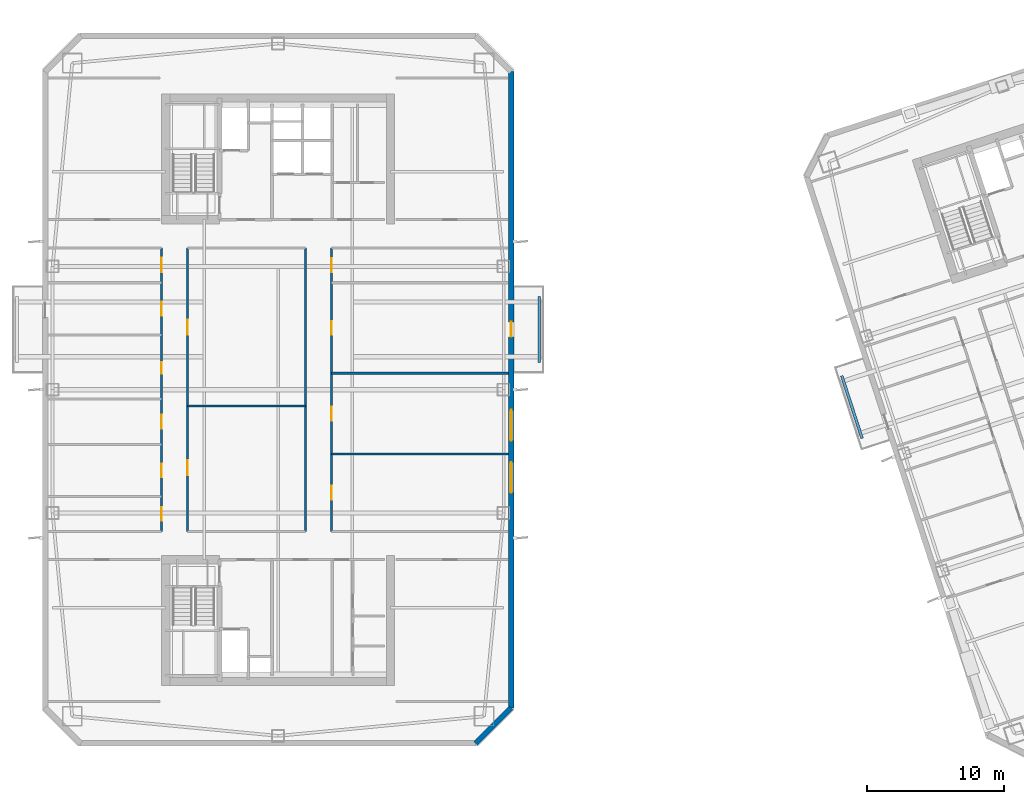
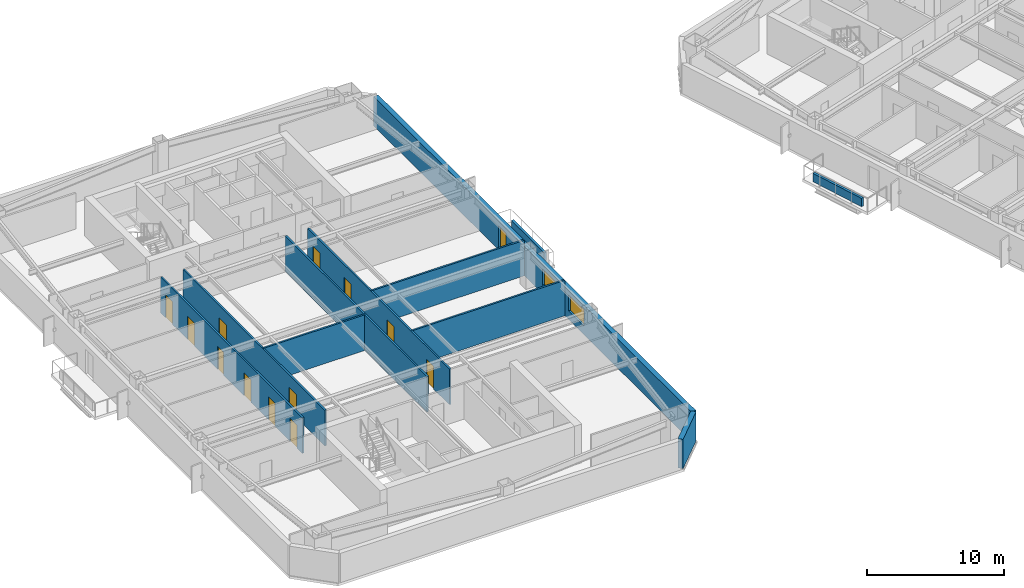
# One storey, part 7 of 18: 13 doors, 11 walls, 2 windows, 15 openings.
"""IFC4 building model written with IfcOpenShell, lengths in metres."""

from ifc_helpers import new_model, si_unit, direction, frame, frame_2d, origin, place, context, subcontext, project, spatial, rectangle, extrude, material, layer, layer_set, type_object, element, fill, save


model = new_model("IFC4")

# Units and contexts
model_context = context("Model", 3, precision=1e-05, world=origin(), true_north=direction((0.0, 1.0)))
body_context = subcontext(model_context, "Body", "Model", "MODEL_VIEW")
ifc_project = project(units=[si_unit("LENGTHUNIT", "METRE"), si_unit("AREAUNIT", "SQUARE_METRE"), si_unit("VOLUMEUNIT", "CUBIC_METRE"), si_unit("PLANEANGLEUNIT", "RADIAN"), si_unit("MASSUNIT", "GRAM", prefix="KILO")], contexts=[model_context])

# Site, building, storey
site_placement = place(None, origin())
site = spatial("IfcSite", under=ifc_project, at=site_placement, CompositionType="ELEMENT")
building_placement = place(site_placement, origin())
building = spatial("IfcBuilding", under=site, at=building_placement, Name="Qiaolan Cultural Towers", CompositionType="ELEMENT")
storey_placement = place(building_placement, frame((0.0, 0.0, 163.300048828125)))
storey = spatial("IfcBuildingStorey", under=building, at=storey_placement, Name="L43", CompositionType="ELEMENT", Elevation=163.300048828125)

# Wall, openings, door, windows
ifc_material_1 = material(Name="Precast Concrete C50 Honed Stone Pier", Category="masonry")
ifc_layer_1 = layer(ifc_material_1, 0.39990234375)
ifc_layer_set_1 = layer_set([ifc_layer_1], Name="Precast Concrete C50 Honed Stone Pier")
wall_type_1 = type_object("IfcWallType", Name="WL-EXT-PIER-400", PredefinedType="SOLIDWALL", material=ifc_layer_set_1)
wall_1_placement = place(storey_placement, frame((47.0, 57.199951171875, 0.0), z_axis=(0.0, 0.0, 1.0), x_axis=(0.0, -1.0, 0.0)))
wall_1 = element("IfcWall", 1, at=wall_1_placement, inside=storey, type_object=wall_type_1, Name="L43 West Tower Precast Pier Facade Wall F5", PredefinedType="SOLIDWALL", context=body_context, shape_type="SweptSolid", body=[
    extrude(rectangle(XDim=46.39990234375, YDim=0.39990234375, at=frame_2d((23.199951171875, 0.0))), origin(), (0.0, 0.0, 1.0), 2.60986328125),
])
opening_1_placement = place(wall_1_placement, frame((28.47509765625, 0.0, 0.75)))
opening_1 = element("IfcOpeningElement", 2, at=opening_1_placement, cuts=wall_1, Name="Opening W-03", PredefinedType="OPENING", context=body_context, shape_type="SweptSolid", body=[
    extrude(rectangle(XDim=2.25, YDim=1.4599609375, at=frame_2d((1.125, 0.72998046875))), frame((0.0, 0.2099609375, 0.0), z_axis=(0.0, -1.0, 0.0), x_axis=(1.0, 0.0, 0.0)), (0.0, 0.0, 1.0), 0.419921875),
])
opening_2_placement = place(wall_1_placement, frame((24.675048828125, 0.0, 0.75)))
opening_2 = element("IfcOpeningElement", 3, at=opening_2_placement, cuts=wall_1, Name="Opening W-03", PredefinedType="OPENING", context=body_context, shape_type="SweptSolid", body=[
    extrude(rectangle(XDim=2.25, YDim=1.4599609375, at=frame_2d((1.125, 0.72998046875))), frame((0.0, 0.2099609375, 0.0), z_axis=(0.0, -1.0, 0.0), x_axis=(1.0, 0.0, 0.0)), (0.0, 0.0, 1.0), 0.419921875),
])
opening_3_placement = place(wall_1_placement, frame((18.25, 0.0, 0.0)))
opening_3 = element("IfcOpeningElement", 4, at=opening_3_placement, cuts=wall_1, Name="Opening BD-01", PredefinedType="OPENING", context=body_context, shape_type="SweptSolid", body=[
    extrude(rectangle(XDim=1.10009765625, YDim=2.14990234375, at=frame_2d((0.550048828125, 1.074951171875))), frame((0.0, 0.2099609375, 0.0), z_axis=(0.0, -1.0, 0.0), x_axis=(1.0, 0.0, 0.0)), (0.0, 0.0, 1.0), 0.419921875),
])
ifc_material_2 = material(Name="Thermally Broken Aluminium Glazed Terrace Door", Category="aluminium")
door_type_1 = type_object("IfcDoorType", Name="DR-BAL-1100", OperationType="NOTDEFINED", PredefinedType="DOOR", material=ifc_material_2)
door_1_placement = place(opening_3_placement, origin())
door_1 = element("IfcDoor", 5, at=door_1_placement, inside=storey, type_object=door_type_1, Name="L43 T1 East Tree Balcony Door", OperationType="SINGLE_SWING_RIGHT", OverallHeight=2.14990234375, OverallWidth=1.10009765625, PredefinedType="DOOR", context=body_context, shape_type="SweptSolid", body=[
    extrude(rectangle(XDim=1.10009765625, YDim=2.14990234375, at=frame_2d((0.550048828125, 1.074951171875))), frame((0.0, 0.02490234375, 0.0), z_axis=(0.0, -1.0, 0.0), x_axis=(1.0, 0.0, 0.0)), (0.0, 0.0, 1.0), 0.050048828125),
])
fill(opening_3, door_1)
ifc_material_3 = material(Name="Thermally Broken Aluminium Triple Low-E Glazing", Category="aluminium")
window_type = type_object("IfcWindowType", Name="WN-CHIC-2250", PartitioningType="SINGLE_PANEL", PredefinedType="WINDOW", material=ifc_material_3)
window_1_placement = place(opening_1_placement, origin())
window_1 = element("IfcWindow", 6, at=window_1_placement, inside=storey, type_object=window_type, Name="L43 T1 E Chicago Bay Window 1", OverallHeight=1.4599609375, OverallWidth=2.25, PartitioningType="TRIPLE_PANEL_VERTICAL", PredefinedType="WINDOW", context=body_context, shape_type="SweptSolid", body=[
    extrude(rectangle(XDim=2.25, YDim=1.4599609375, at=frame_2d((1.125, 0.72998046875))), frame((0.0, 0.030029296875, 0.0), z_axis=(0.0, -1.0, 0.0), x_axis=(1.0, 0.0, 0.0)), (0.0, 0.0, 1.0), 0.06005859375),
])
fill(opening_1, window_1)
window_2_placement = place(opening_2_placement, origin())
window_2 = element("IfcWindow", 7, at=window_2_placement, inside=storey, type_object=window_type, Name="L43 T1 E Chicago Bay Window 2", OverallHeight=1.4599609375, OverallWidth=2.25, PartitioningType="TRIPLE_PANEL_VERTICAL", PredefinedType="WINDOW", context=body_context, shape_type="SweptSolid", body=[
    extrude(rectangle(XDim=2.25, YDim=1.4599609375, at=frame_2d((1.125, 0.72998046875))), frame((0.0, 0.030029296875, 0.0), z_axis=(0.0, -1.0, 0.0), x_axis=(1.0, 0.0, 0.0)), (0.0, 0.0, 1.0), 0.06005859375),
])
fill(opening_2, window_2)

# Wall
wall_2_placement = place(storey_placement, frame((47.0, 10.800048828125, 0.0), z_axis=(0.0, 0.0, 1.0), x_axis=(-0.707106781187, -0.707106781187, 0.0)))
element("IfcWall", 8, at=wall_2_placement, inside=storey, type_object=wall_type_1, Name="L43 West Tower Precast Pier Facade Wall F6", PredefinedType="SOLIDWALL", context=body_context, shape_type="SweptSolid", body=[
    extrude(rectangle(XDim=3.677001953125, YDim=0.39990234375, at=frame_2d((1.83837890625, 0.0))), origin(), (0.0, 0.0, 1.0), 2.60986328125),
])

# Wall, openings, doors
ifc_material_4 = material(Name="Autoclaved Aerated Concrete Block B06", Category="concrete")
ifc_layer_2 = layer(ifc_material_4, 0.14990234375)
ifc_layer_set_2 = layer_set([ifc_layer_2], Name="Autoclaved Aerated Concrete Block B06")
wall_type_2 = type_object("IfcWallType", Name="WL-PART-150", PredefinedType="PARTITIONING", material=ifc_layer_set_2)
wall_3_placement = place(storey_placement, frame((21.5, 23.64990234375, 0.0), z_axis=(0.0, 0.0, 1.0), x_axis=(0.0, 1.0, 0.0)))
wall_3 = element("IfcWall", 9, at=wall_3_placement, inside=storey, type_object=wall_type_2, Name="L43 T1 Interior Wall", PredefinedType="PARTITIONING", context=body_context, shape_type="SweptSolid", body=[
    extrude(rectangle(XDim=20.7001953125, YDim=0.14990234375, at=frame_2d((10.35009765625, 0.0))), origin(), (0.0, 0.0, 1.0), 3.175048828125),
])
opening_4_placement = place(wall_3_placement, frame((0.77490234375, 0.0, 0.0)))
opening_4 = element("IfcOpeningElement", 10, at=opening_4_placement, cuts=wall_3, Name="Opening ID-04", PredefinedType="OPENING", context=body_context, shape_type="SweptSolid", body=[
    extrude(rectangle(XDim=1.0, YDim=2.050048828125, at=frame_2d((0.5, 1.02490234375))), frame((0.0, 0.0849609375, 0.0), z_axis=(0.0, -1.0, 0.0), x_axis=(1.0, 0.0, 0.0)), (0.0, 0.0, 1.0), 0.169921875),
])
opening_5_placement = place(wall_3_placement, frame((3.949951171875, 0.0, 0.0)))
opening_5 = element("IfcOpeningElement", 11, at=opening_5_placement, cuts=wall_3, Name="Opening ID-04", PredefinedType="OPENING", context=body_context, shape_type="SweptSolid", body=[
    extrude(rectangle(XDim=1.0, YDim=2.050048828125, at=frame_2d((0.5, 1.02490234375))), frame((0.0, 0.0849609375, 0.0), z_axis=(0.0, -1.0, 0.0), x_axis=(1.0, 0.0, 0.0)), (0.0, 0.0, 1.0), 0.169921875),
])
opening_6_placement = place(wall_3_placement, frame((7.510009765625, 0.0, 0.0)))
opening_6 = element("IfcOpeningElement", 12, at=opening_6_placement, cuts=wall_3, Name="Opening ID-04", PredefinedType="OPENING", context=body_context, shape_type="SweptSolid", body=[
    extrude(rectangle(XDim=1.0, YDim=2.050048828125, at=frame_2d((0.5, 1.02490234375))), frame((0.0, 0.0849609375, 0.0), z_axis=(0.0, -1.0, 0.0), x_axis=(1.0, 0.0, 0.0)), (0.0, 0.0, 1.0), 0.169921875),
])
opening_7_placement = place(wall_3_placement, frame((11.510009765625, 0.0, 0.0)))
opening_7 = element("IfcOpeningElement", 13, at=opening_7_placement, cuts=wall_3, Name="Opening ID-09", PredefinedType="OPENING", context=body_context, shape_type="SweptSolid", body=[
    extrude(rectangle(XDim=0.85009765625, YDim=2.050048828125, at=frame_2d((0.425048828125, 1.02490234375))), frame((0.0, 0.0849609375, 0.0), z_axis=(0.0, -1.0, 0.0), x_axis=(1.0, 0.0, 0.0)), (0.0, 0.0, 1.0), 0.169921875),
])
opening_8_placement = place(wall_3_placement, frame((15.75, 0.0, 0.0)))
opening_8 = element("IfcOpeningElement", 14, at=opening_8_placement, cuts=wall_3, Name="Opening ID-04", PredefinedType="OPENING", context=body_context, shape_type="SweptSolid", body=[
    extrude(rectangle(XDim=1.0, YDim=2.050048828125, at=frame_2d((0.5, 1.02490234375))), frame((0.0, 0.0849609375, 0.0), z_axis=(0.0, -1.0, 0.0), x_axis=(1.0, 0.0, 0.0)), (0.0, 0.0, 1.0), 0.169921875),
])
opening_9_placement = place(wall_3_placement, frame((18.925048828125, 0.0, 0.0)))
opening_9 = element("IfcOpeningElement", 15, at=opening_9_placement, cuts=wall_3, Name="Opening ID-07", PredefinedType="OPENING", context=body_context, shape_type="SweptSolid", body=[
    extrude(rectangle(XDim=1.050048828125, YDim=2.050048828125, at=frame_2d((0.52490234375, 1.02490234375))), frame((0.0, 0.0849609375, 0.0), z_axis=(0.0, -1.0, 0.0), x_axis=(1.0, 0.0, 0.0)), (0.0, 0.0, 1.0), 0.169921875),
])
ifc_material_5 = material(Name="Oak Veneer Acoustic Office Door", Category="timber")
door_type_2 = type_object("IfcDoorType", Name="DR-INT-1000", OperationType="NOTDEFINED", PredefinedType="DOOR", material=ifc_material_5)
door_2_placement = place(opening_4_placement, origin())
door_2 = element("IfcDoor", 16, at=door_2_placement, inside=storey, type_object=door_type_2, Name="L43 T1 Executive Boardroom Door", OperationType="SINGLE_SWING_LEFT", OverallHeight=2.050048828125, OverallWidth=1.0, PredefinedType="DOOR", context=body_context, shape_type="SweptSolid", body=[
    extrude(rectangle(XDim=1.0, YDim=2.050048828125, at=frame_2d((0.5, 1.02490234375))), frame((0.0, 0.02490234375, 0.0), z_axis=(0.0, -1.0, 0.0), x_axis=(1.0, 0.0, 0.0)), (0.0, 0.0, 1.0), 0.050048828125),
])
fill(opening_4, door_2)
door_3_placement = place(opening_5_placement, origin())
door_3 = element("IfcDoor", 17, at=door_3_placement, inside=storey, type_object=door_type_2, Name="L43 T1 Executive Boardroom Door", OperationType="SINGLE_SWING_RIGHT", OverallHeight=2.050048828125, OverallWidth=1.0, PredefinedType="DOOR", context=body_context, shape_type="SweptSolid", body=[
    extrude(rectangle(XDim=1.0, YDim=2.050048828125, at=frame_2d((0.5, 1.02490234375))), frame((0.0, 0.02490234375, 0.0), z_axis=(0.0, -1.0, 0.0), x_axis=(1.0, 0.0, 0.0)), (0.0, 0.0, 1.0), 0.050048828125),
])
fill(opening_5, door_3)
door_4_placement = place(opening_6_placement, origin())
door_4 = element("IfcDoor", 18, at=door_4_placement, inside=storey, type_object=door_type_2, Name="L43 T1 Executive Boardroom Door", OperationType="SINGLE_SWING_LEFT", OverallHeight=2.050048828125, OverallWidth=1.0, PredefinedType="DOOR", context=body_context, shape_type="SweptSolid", body=[
    extrude(rectangle(XDim=1.0, YDim=2.050048828125, at=frame_2d((0.5, 1.02490234375))), frame((0.0, 0.02490234375, 0.0), z_axis=(0.0, -1.0, 0.0), x_axis=(1.0, 0.0, 0.0)), (0.0, 0.0, 1.0), 0.050048828125),
])
fill(opening_6, door_4)
door_5_placement = place(opening_8_placement, origin())
door_5 = element("IfcDoor", 19, at=door_5_placement, inside=storey, type_object=door_type_2, Name="L43 T1 Executive Boardroom Door", OperationType="SINGLE_SWING_LEFT", OverallHeight=2.050048828125, OverallWidth=1.0, PredefinedType="DOOR", context=body_context, shape_type="SweptSolid", body=[
    extrude(rectangle(XDim=1.0, YDim=2.050048828125, at=frame_2d((0.5, 1.02490234375))), frame((0.0, 0.02490234375, 0.0), z_axis=(0.0, -1.0, 0.0), x_axis=(1.0, 0.0, 0.0)), (0.0, 0.0, 1.0), 0.050048828125),
])
fill(opening_8, door_5)
ifc_material_6 = material(Name="Oak Veneer Consultation Door", Category="timber")
door_type_3 = type_object("IfcDoorType", Name="DR-INT-1050", OperationType="NOTDEFINED", PredefinedType="DOOR", material=ifc_material_6)
door_6_placement = place(opening_9_placement, origin())
door_6 = element("IfcDoor", 20, at=door_6_placement, inside=storey, type_object=door_type_3, Name="L43 T1 VIP Lounge Door", OperationType="SINGLE_SWING_RIGHT", OverallHeight=2.050048828125, OverallWidth=1.050048828125, PredefinedType="DOOR", context=body_context, shape_type="SweptSolid", body=[
    extrude(rectangle(XDim=1.050048828125, YDim=2.050048828125, at=frame_2d((0.52490234375, 1.02490234375))), frame((0.0, 0.02490234375, 0.0), z_axis=(0.0, -1.0, 0.0), x_axis=(1.0, 0.0, 0.0)), (0.0, 0.0, 1.0), 0.050048828125),
])
fill(opening_9, door_6)
ifc_material_7 = material(Name="Moisture-Resistant Laminate Utility Door", Category="timber")
door_type_4 = type_object("IfcDoorType", Name="DR-INT-850", OperationType="NOTDEFINED", PredefinedType="DOOR", material=ifc_material_7)
door_7_placement = place(opening_7_placement, origin())
door_7 = element("IfcDoor", 21, at=door_7_placement, inside=storey, type_object=door_type_4, Name="L43 T1 Executive Boardroom Door", OperationType="SINGLE_SWING_RIGHT", OverallHeight=2.050048828125, OverallWidth=0.85009765625, PredefinedType="DOOR", context=body_context, shape_type="SweptSolid", body=[
    extrude(rectangle(XDim=0.85009765625, YDim=2.050048828125, at=frame_2d((0.425048828125, 1.02490234375))), frame((0.0, 0.02490234375, 0.0), z_axis=(0.0, -1.0, 0.0), x_axis=(1.0, 0.0, 0.0)), (0.0, 0.0, 1.0), 0.050048828125),
])
fill(opening_7, door_7)

wall_4_placement = place(storey_placement, frame((23.39990234375, 23.64990234375, 0.0), z_axis=(0.0, 0.0, 1.0), x_axis=(0.0, 1.0, 0.0)))
wall_4 = element("IfcWall", 22, at=wall_4_placement, inside=storey, type_object=wall_type_2, Name="L43 T1 Interior Wall", PredefinedType="PARTITIONING", context=body_context, shape_type="SweptSolid", body=[
    extrude(rectangle(XDim=20.7001953125, YDim=0.14990234375, at=frame_2d((10.35009765625, 0.0))), origin(), (0.0, 0.0, 1.0), 3.175048828125),
])
opening_10_placement = place(wall_4_placement, frame((4.117431640625, 0.0, 0.0)))
opening_10 = element("IfcOpeningElement", 23, at=opening_10_placement, cuts=wall_4, Name="Opening ID-03", PredefinedType="OPENING", context=body_context, shape_type="SweptSolid", body=[
    extrude(rectangle(XDim=1.10009765625, YDim=2.050048828125, at=frame_2d((0.550048828125, 1.02490234375))), frame((0.0, 0.0849609375, 0.0), z_axis=(0.0, -1.0, 0.0), x_axis=(1.0, 0.0, 0.0)), (0.0, 0.0, 1.0), 0.169921875),
])
opening_11_placement = place(wall_4_placement, frame((14.347412109375, 0.0, 0.0)))
opening_11 = element("IfcOpeningElement", 24, at=opening_11_placement, cuts=wall_4, Name="Opening ID-03", PredefinedType="OPENING", context=body_context, shape_type="SweptSolid", body=[
    extrude(rectangle(XDim=1.10009765625, YDim=2.050048828125, at=frame_2d((0.550048828125, 1.02490234375))), frame((0.0, 0.0849609375, 0.0), z_axis=(0.0, -1.0, 0.0), x_axis=(1.0, 0.0, 0.0)), (0.0, 0.0, 1.0), 0.169921875),
])
ifc_material_8 = material(Name="Oak Veneer Solid-Core Boardroom Door", Category="timber")
door_type_5 = type_object("IfcDoorType", Name="DR-INT-1100", OperationType="NOTDEFINED", PredefinedType="DOOR", material=ifc_material_8)
door_8_placement = place(opening_10_placement, origin())
door_8 = element("IfcDoor", 25, at=door_8_placement, inside=storey, type_object=door_type_5, Name="L43 T1 Central Boardroom Door", OperationType="SINGLE_SWING_LEFT", OverallHeight=2.050048828125, OverallWidth=1.10009765625, PredefinedType="DOOR", context=body_context, shape_type="SweptSolid", body=[
    extrude(rectangle(XDim=1.10009765625, YDim=2.050048828125, at=frame_2d((0.550048828125, 1.02490234375))), frame((0.0, 0.02490234375, 0.0), z_axis=(0.0, -1.0, 0.0), x_axis=(1.0, 0.0, 0.0)), (0.0, 0.0, 1.0), 0.050048828125),
])
fill(opening_10, door_8)
door_9_placement = place(opening_11_placement, origin())
door_9 = element("IfcDoor", 26, at=door_9_placement, inside=storey, type_object=door_type_5, Name="L43 T1 Central Archive Salon Door", OperationType="SINGLE_SWING_RIGHT", OverallHeight=2.050048828125, OverallWidth=1.10009765625, PredefinedType="DOOR", context=body_context, shape_type="SweptSolid", body=[
    extrude(rectangle(XDim=1.10009765625, YDim=2.050048828125, at=frame_2d((0.550048828125, 1.02490234375))), frame((0.0, 0.02490234375, 0.0), z_axis=(0.0, -1.0, 0.0), x_axis=(1.0, 0.0, 0.0)), (0.0, 0.0, 1.0), 0.050048828125),
])
fill(opening_11, door_9)

# Wall
wall_5_placement = place(storey_placement, frame((32.0, 23.64990234375, 0.0), z_axis=(0.0, 0.0, 1.0), x_axis=(0.0, 1.0, 0.0)))
element("IfcWall", 27, at=wall_5_placement, inside=storey, type_object=wall_type_2, Name="L43 T1 Interior Wall", PredefinedType="PARTITIONING", context=body_context, shape_type="SweptSolid", body=[
    extrude(rectangle(XDim=20.7001953125, YDim=0.14990234375, at=frame_2d((10.35009765625, 0.0))), origin(), (0.0, 0.0, 1.0), 3.175048828125),
])

# Wall, openings, doors
wall_6_placement = place(storey_placement, frame((33.89990234375, 23.64990234375, 0.0), z_axis=(0.0, 0.0, 1.0), x_axis=(0.0, 1.0, 0.0)))
wall_6 = element("IfcWall", 28, at=wall_6_placement, inside=storey, type_object=wall_type_2, Name="L43 T1 Interior Wall", PredefinedType="PARTITIONING", context=body_context, shape_type="SweptSolid", body=[
    extrude(rectangle(XDim=20.7001953125, YDim=0.14990234375, at=frame_2d((10.35009765625, 0.0))), origin(), (0.0, 0.0, 1.0), 3.175048828125),
])
opening_12_placement = place(wall_6_placement, frame((2.32861328125, 0.0, 0.0)))
opening_12 = element("IfcOpeningElement", 29, at=opening_12_placement, cuts=wall_6, Name="Opening ID-04", PredefinedType="OPENING", context=body_context, shape_type="SweptSolid", body=[
    extrude(rectangle(XDim=1.0, YDim=2.050048828125, at=frame_2d((0.5, 1.02490234375))), frame((0.0, 0.0849609375, 0.0), z_axis=(0.0, -1.0, 0.0), x_axis=(1.0, 0.0, 0.0)), (0.0, 0.0, 1.0), 0.169921875),
])
opening_13_placement = place(wall_6_placement, frame((8.103515625, 0.0, 0.0)))
opening_13 = element("IfcOpeningElement", 30, at=opening_13_placement, cuts=wall_6, Name="Opening ID-04", PredefinedType="OPENING", context=body_context, shape_type="SweptSolid", body=[
    extrude(rectangle(XDim=1.0, YDim=2.050048828125, at=frame_2d((0.5, 1.02490234375))), frame((0.0, 0.0849609375, 0.0), z_axis=(0.0, -1.0, 0.0), x_axis=(1.0, 0.0, 0.0)), (0.0, 0.0, 1.0), 0.169921875),
])
opening_14_placement = place(wall_6_placement, frame((14.35009765625, 0.0, 0.0)))
opening_14 = element("IfcOpeningElement", 31, at=opening_14_placement, cuts=wall_6, Name="Opening ID-04", PredefinedType="OPENING", context=body_context, shape_type="SweptSolid", body=[
    extrude(rectangle(XDim=1.0, YDim=2.050048828125, at=frame_2d((0.5, 1.02490234375))), frame((0.0, 0.0849609375, 0.0), z_axis=(0.0, -1.0, 0.0), x_axis=(1.0, 0.0, 0.0)), (0.0, 0.0, 1.0), 0.169921875),
])
opening_15_placement = place(wall_6_placement, frame((18.925048828125, 0.0, 0.0)))
opening_15 = element("IfcOpeningElement", 32, at=opening_15_placement, cuts=wall_6, Name="Opening ID-04", PredefinedType="OPENING", context=body_context, shape_type="SweptSolid", body=[
    extrude(rectangle(XDim=1.0, YDim=2.050048828125, at=frame_2d((0.5, 1.02490234375))), frame((0.0, 0.0849609375, 0.0), z_axis=(0.0, -1.0, 0.0), x_axis=(1.0, 0.0, 0.0)), (0.0, 0.0, 1.0), 0.169921875),
])
door_10_placement = place(opening_12_placement, origin())
door_10 = element("IfcDoor", 33, at=door_10_placement, inside=storey, type_object=door_type_2, Name="L43 T1 Private Office Door", OperationType="SINGLE_SWING_RIGHT", OverallHeight=2.050048828125, OverallWidth=1.0, PredefinedType="DOOR", context=body_context, shape_type="SweptSolid", body=[
    extrude(rectangle(XDim=1.0, YDim=2.050048828125, at=frame_2d((0.5, 1.02490234375))), frame((0.0, 0.02490234375, 0.0), z_axis=(0.0, -1.0, 0.0), x_axis=(1.0, 0.0, 0.0)), (0.0, 0.0, 1.0), 0.050048828125),
])
fill(opening_12, door_10)
door_11_placement = place(opening_13_placement, origin())
door_11 = element("IfcDoor", 34, at=door_11_placement, inside=storey, type_object=door_type_2, Name="L43 T1 Private Office Door", OperationType="SINGLE_SWING_LEFT", OverallHeight=2.050048828125, OverallWidth=1.0, PredefinedType="DOOR", context=body_context, shape_type="SweptSolid", body=[
    extrude(rectangle(XDim=1.0, YDim=2.050048828125, at=frame_2d((0.5, 1.02490234375))), frame((0.0, 0.02490234375, 0.0), z_axis=(0.0, -1.0, 0.0), x_axis=(1.0, 0.0, 0.0)), (0.0, 0.0, 1.0), 0.050048828125),
])
fill(opening_13, door_11)
door_12_placement = place(opening_14_placement, origin())
door_12 = element("IfcDoor", 35, at=door_12_placement, inside=storey, type_object=door_type_2, Name="L43 T1 Occupational Health Room Door", OperationType="SINGLE_SWING_RIGHT", OverallHeight=2.050048828125, OverallWidth=1.0, PredefinedType="DOOR", context=body_context, shape_type="SweptSolid", body=[
    extrude(rectangle(XDim=1.0, YDim=2.050048828125, at=frame_2d((0.5, 1.02490234375))), frame((0.0, 0.02490234375, 0.0), z_axis=(0.0, -1.0, 0.0), x_axis=(1.0, 0.0, 0.0)), (0.0, 0.0, 1.0), 0.050048828125),
])
fill(opening_14, door_12)
door_13_placement = place(opening_15_placement, origin())
door_13 = element("IfcDoor", 36, at=door_13_placement, inside=storey, type_object=door_type_2, Name="L43 T1 Catering Kitchen Door", OperationType="SINGLE_SWING_LEFT", OverallHeight=2.050048828125, OverallWidth=1.0, PredefinedType="DOOR", context=body_context, shape_type="SweptSolid", body=[
    extrude(rectangle(XDim=1.0, YDim=2.050048828125, at=frame_2d((0.5, 1.02490234375))), frame((0.0, 0.02490234375, 0.0), z_axis=(0.0, -1.0, 0.0), x_axis=(1.0, 0.0, 0.0)), (0.0, 0.0, 1.0), 0.050048828125),
])
fill(opening_15, door_13)

# Walls
wall_7_placement = place(storey_placement, frame((23.39990234375, 32.800048828125, 0.0), z_axis=(0.0, 0.0, 1.0), x_axis=(1.0, 0.0, 0.0)))
element("IfcWall", 37, at=wall_7_placement, inside=storey, type_object=wall_type_2, Name="L43 T1 Interior Wall", PredefinedType="PARTITIONING", context=body_context, shape_type="SweptSolid", body=[
    extrude(rectangle(XDim=8.60009765625, YDim=0.14990234375, at=frame_2d((4.300048828125, 0.0))), origin(), (0.0, 0.0, 1.0), 3.175048828125),
])
for number, where, z_axis, x_axis, name in (
    (38, (33.89990234375, 29.306884765625, 0.0), (0.0, 0.0, 1.0), (1.0, 0.0, 0.0), "L43 T1 Interior Wall"),
    (39, (33.89990234375, 35.199951171875, 0.0), (0.0, 0.0, 1.0), (1.0, 0.0, 0.0), "L43 T1 Interior Wall"),
):
    element("IfcWall", number, at=place(storey_placement, frame(where, z_axis=z_axis, x_axis=x_axis)), inside=storey, type_object=wall_type_2, Name=name, PredefinedType="PARTITIONING", context=body_context, shape_type="SweptSolid", body=[
        extrude(rectangle(XDim=12.900146484375, YDim=0.14990234375, at=frame_2d((6.4501953125, 0.0))), origin(), (0.0, 0.0, 1.0), 3.175048828125),
    ])
ifc_material_9 = material(Name="Precast Concrete C45 Tree Planter Upstand", Category="concrete")
ifc_layer_3 = layer(ifc_material_9, 0.199951171875)
ifc_layer_set_3 = layer_set([ifc_layer_3], Name="Precast Concrete C45 Tree Planter Upstand")
wall_type_3 = type_object("IfcWallType", Name="WL-PLANTER-200", PredefinedType="PARAPET", material=ifc_layer_set_3)
wall_8_placement = place(storey_placement, frame((49.050048828125, 36.0, 0.0), z_axis=(0.0, 0.0, 1.0), x_axis=(0.0, 1.0, 0.0)))
element("IfcWall", 40, at=wall_8_placement, inside=storey, type_object=wall_type_3, Name="L43 T1 Tree Balcony Soil Planter Box E", PredefinedType="PARAPET", context=body_context, shape_type="SweptSolid", body=[
    extrude(rectangle(XDim=4.800048828125, YDim=0.199951171875, at=frame_2d((2.39990234375, 0.0))), origin(), (0.0, 0.0, 1.0), 0.75),
])
wall_9_placement = place(storey_placement, frame((72.595703125, 30.447998046875, 0.0), z_axis=(0.0, 0.0, 1.0), x_axis=(-0.30900096172, 0.951061725471, 0.0)))
element("IfcWall", 41, at=wall_9_placement, inside=storey, type_object=wall_type_3, Name="L43 T2 Tree Balcony Soil Planter Box W", PredefinedType="PARAPET", context=body_context, shape_type="SweptSolid", body=[
    extrude(rectangle(XDim=4.7998046875, YDim=0.199951171875, at=frame_2d((2.39990234375, 0.0))), origin(), (0.0, 0.0, 1.0), 0.75),
])

save(model, "model.ifc")
